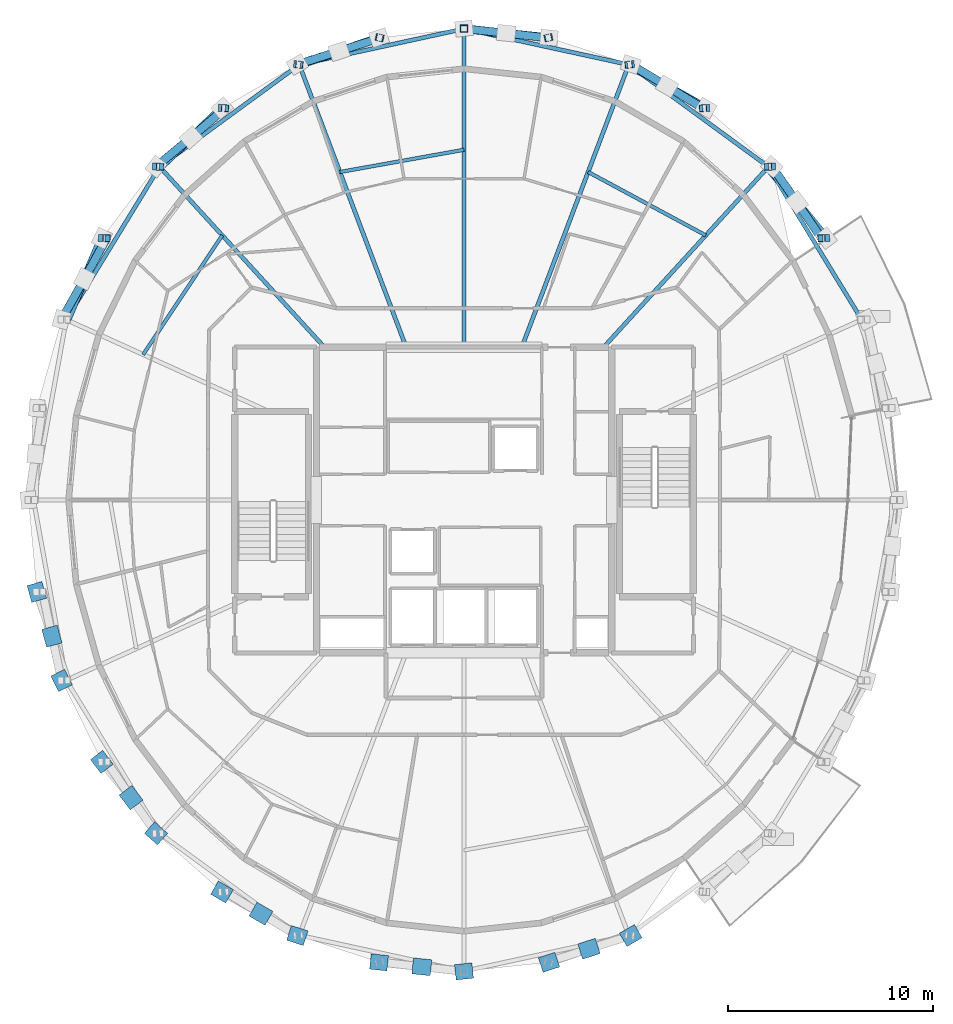
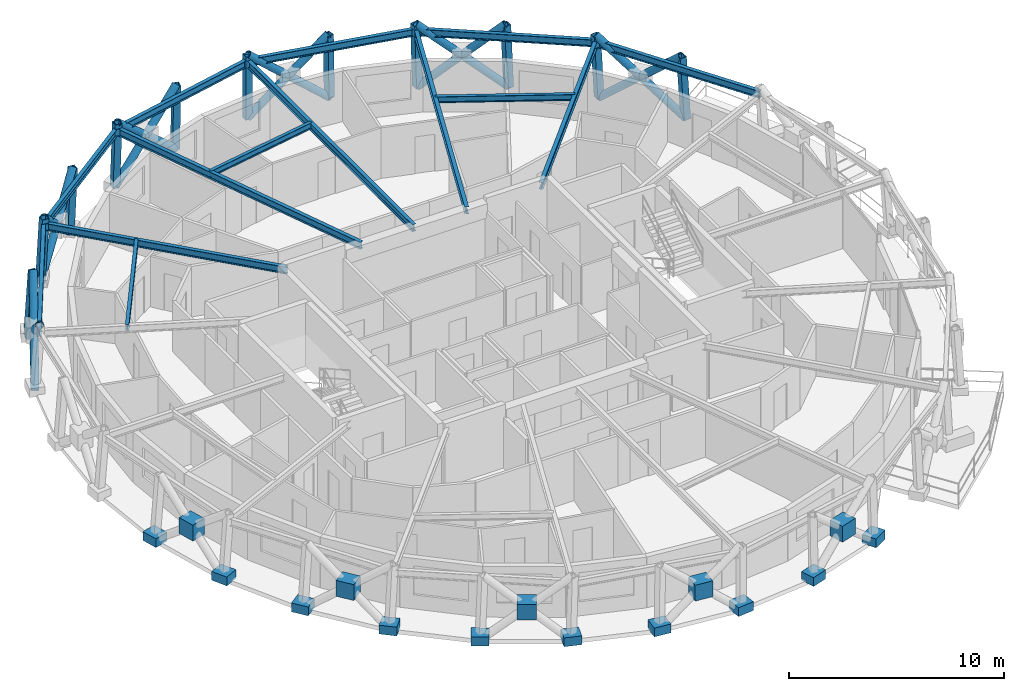
# One storey, part 5 of 12: 29 members, 15 plates, 14 beams.
"""IFC4 building model written with IfcOpenShell, lengths in metres."""

from ifc_helpers import new_model, si_unit, direction, frame, origin, origin_2d, place, context, subcontext, project, spatial, rectangle, hollow_rectangle, hollow_circle, i_section, extrude, material, layer, layer_set, material_profile, profile_set, type_object, element, save


model = new_model("IFC4")

# Units and contexts
model_context = context("Model", 3, precision=1e-05, world=origin(), true_north=direction((0.0, 1.0)))
body_context = subcontext(model_context, "Body", "Model", "MODEL_VIEW")
ifc_project = project(units=[si_unit("LENGTHUNIT", "METRE"), si_unit("AREAUNIT", "SQUARE_METRE"), si_unit("VOLUMEUNIT", "CUBIC_METRE"), si_unit("PLANEANGLEUNIT", "RADIAN"), si_unit("MASSUNIT", "GRAM", prefix="KILO")], contexts=[model_context])

# Site, building, storey
site_placement = place(None, origin())
site = spatial("IfcSite", under=ifc_project, at=site_placement, CompositionType="ELEMENT")
building_placement = place(site_placement, origin())
building = spatial("IfcBuilding", under=site, at=building_placement, Name="Veldorina Hangang Commons", CompositionType="ELEMENT")
storey_placement = place(building_placement, frame((0.0, 0.0, 272.39990234375)))
storey = spatial("IfcBuildingStorey", under=building, at=storey_placement, Name="L71", CompositionType="ELEMENT", Elevation=272.39990234375)

# Beams
ifc_material_1 = material(Name="Steel SM355-TMC", Category="steel")
ifc_material_profile_1 = material_profile(ifc_material_1, i_section(OverallWidth=0.199951171875, OverallDepth=0.39990234375, WebThickness=0.008056640625, FlangeThickness=0.012939453125, FilletRadius=0.012939453125, at=origin_2d()), Name="H-400x200x8x13")
ifc_profile_set_1 = profile_set([ifc_material_profile_1], Name="Steel SM355-TMC")
beam_type_1 = type_object("IfcBeamType", Name="BM-FG400", PredefinedType="BEAM", material=ifc_profile_set_1)
beam_1_placement = place(storey_placement, frame((38.806396484375, 31.449951171875, 3.16015625), z_axis=(0.674499660272, 0.738275157576, 0.0), x_axis=(-0.738275157576, 0.674499660272, 0.0)))
element("IfcBeam", 1, at=beam_1_placement, inside=storey, type_object=beam_type_1, Name="L71 radial floor girder 03", PredefinedType="BEAM", context=body_context, shape_type="SweptSolid", body=[
    extrude(i_section(OverallWidth=0.199951171875, OverallDepth=0.39990234375, WebThickness=0.008056640625, FlangeThickness=0.012939453125, FilletRadius=0.012939453125, at=origin_2d()), origin(), (0.0, 0.0, 1.0), 11.9130859375),
])
beam_2_placement = place(storey_placement, frame((34.8193359375, 31.449951171875, 3.16015625), z_axis=(0.353926583322, 0.935273208008, 0.0), x_axis=(-0.935273208008, 0.353926583322, 0.0)))
element("IfcBeam", 2, at=beam_2_placement, inside=storey, type_object=beam_type_1, Name="L71 radial floor girder 04", PredefinedType="BEAM", context=body_context, shape_type="SweptSolid", body=[
    extrude(i_section(OverallWidth=0.199951171875, OverallDepth=0.39990234375, WebThickness=0.008056640625, FlangeThickness=0.012939453125, FilletRadius=0.012939453125, at=origin_2d()), origin(), (0.0, 0.0, 1.0), 14.728759765625),
])
beam_3_placement = place(storey_placement, frame((32.0, 31.449951171875, 3.16015625), z_axis=(0.0, 1.0, 0.0), x_axis=(-1.0, 0.0, 0.0)))
element("IfcBeam", 3, at=beam_3_placement, inside=storey, type_object=beam_type_1, Name="L71 radial floor girder 05", PredefinedType="BEAM", context=body_context, shape_type="SweptSolid", body=[
    extrude(i_section(OverallWidth=0.199951171875, OverallDepth=0.39990234375, WebThickness=0.008056640625, FlangeThickness=0.012939453125, FilletRadius=0.012939453125, at=origin_2d()), origin(), (0.0, 0.0, 1.0), 15.524169921875),
])
beam_4_placement = place(storey_placement, frame((29.1806640625, 31.449951171875, 3.16015625), z_axis=(-0.353926583322, 0.935273208008, 0.0), x_axis=(-0.935273208008, -0.353926583322, 0.0)))
element("IfcBeam", 4, at=beam_4_placement, inside=storey, type_object=beam_type_1, Name="L71 radial floor girder 06", PredefinedType="BEAM", context=body_context, shape_type="SweptSolid", body=[
    extrude(i_section(OverallWidth=0.199951171875, OverallDepth=0.39990234375, WebThickness=0.008056640625, FlangeThickness=0.012939453125, FilletRadius=0.012939453125, at=origin_2d()), origin(), (0.0, 0.0, 1.0), 14.728759765625),
])
beam_5_placement = place(storey_placement, frame((25.193603515625, 31.449951171875, 3.16015625), z_axis=(-0.674499660272, 0.738275157576, 0.0), x_axis=(-0.738275157576, -0.674499660272, 0.0)))
element("IfcBeam", 5, at=beam_5_placement, inside=storey, type_object=beam_type_1, Name="L71 radial floor girder 07", PredefinedType="BEAM", context=body_context, shape_type="SweptSolid", body=[
    extrude(i_section(OverallWidth=0.199951171875, OverallDepth=0.39990234375, WebThickness=0.008056640625, FlangeThickness=0.012939453125, FilletRadius=0.012939453125, at=origin_2d()), origin(), (0.0, 0.0, 1.0), 11.9130859375),
])
ifc_material_profile_2 = material_profile(ifc_material_1, i_section(OverallWidth=0.175048828125, OverallDepth=0.35009765625, WebThickness=0.007080078125, FlangeThickness=0.010986328125, FilletRadius=0.012939453125, at=origin_2d()), Name="H-350x175x7x11")
ifc_profile_set_2 = profile_set([ifc_material_profile_2], Name="Steel SM355-TMC")
beam_type_2 = type_object("IfcBeamType", Name="BM-JST350", PredefinedType="JOIST", material=ifc_profile_set_2)
beam_6_placement = place(storey_placement, frame((43.788330078125, 36.903076171875, 3.18505859375), z_axis=(-0.88056133071, 0.473932213358, 0.0), x_axis=(-0.473932213358, -0.88056133071, 0.0)))
element("IfcBeam", 6, at=beam_6_placement, inside=storey, type_object=beam_type_2, Name="L71 secondary floor joist 03", PredefinedType="JOIST", context=body_context, shape_type="SweptSolid", body=[
    extrude(i_section(OverallWidth=0.175048828125, OverallDepth=0.35009765625, WebThickness=0.007080078125, FlangeThickness=0.010986328125, FilletRadius=0.012939453125, at=origin_2d()), origin(), (0.0, 0.0, 1.0), 6.514892578125),
])
beam_7_placement = place(storey_placement, frame((32.0, 41.074951171875, 3.18505859375), z_axis=(-0.984326047197, -0.176358251325, 0.0), x_axis=(0.176358251325, -0.984326047197, 0.0)))
element("IfcBeam", 7, at=beam_7_placement, inside=storey, type_object=beam_type_2, Name="L71 secondary floor joist 05", PredefinedType="JOIST", context=body_context, shape_type="SweptSolid", body=[
    extrude(i_section(OverallWidth=0.175048828125, OverallDepth=0.35009765625, WebThickness=0.007080078125, FlangeThickness=0.010986328125, FilletRadius=0.012939453125, at=origin_2d()), origin(), (0.0, 0.0, 1.0), 6.14794921875),
])
beam_8_placement = place(storey_placement, frame((20.211669921875, 36.903076171875, 3.18505859375), z_axis=(-0.55286479067, -0.833270978276, 0.0), x_axis=(0.833270978276, -0.55286479067, 0.0)))
element("IfcBeam", 8, at=beam_8_placement, inside=storey, type_object=beam_type_2, Name="L71 secondary floor joist 07", PredefinedType="JOIST", context=body_context, shape_type="SweptSolid", body=[
    extrude(i_section(OverallWidth=0.175048828125, OverallDepth=0.35009765625, WebThickness=0.007080078125, FlangeThickness=0.010986328125, FilletRadius=0.012939453125, at=origin_2d()), origin(), (0.0, 0.0, 1.0), 6.97314453125),
])
ifc_material_profile_3 = material_profile(ifc_material_1, i_section(OverallWidth=0.199951171875, OverallDepth=0.39990234375, WebThickness=0.008056640625, FlangeThickness=0.012939453125, FilletRadius=0.012939453125, at=origin_2d()), Name="H-400x200x8x13")
ifc_profile_set_3 = profile_set([ifc_material_profile_3], Name="Steel SM355-TMC")
beam_type_3 = type_object("IfcBeamType", Name="BM-RB400", PredefinedType="BEAM", material=ifc_profile_set_3)
beam_9_placement = place(storey_placement, frame((51.3916015625, 32.7919921875, 3.16015625), z_axis=(-0.521042817658, 0.85353053968, 0.0), x_axis=(-0.85353053968, -0.521042817658, 0.0)))
element("IfcBeam", 9, at=beam_9_placement, inside=storey, type_object=beam_type_3, Name="L71 perimeter hoop ring beam 02", PredefinedType="BEAM", context=body_context, shape_type="SweptSolid", body=[
    extrude(i_section(OverallWidth=0.199951171875, OverallDepth=0.39990234375, WebThickness=0.008056640625, FlangeThickness=0.012939453125, FilletRadius=0.012939453125, at=origin_2d()), origin(), (0.0, 0.0, 1.0), 8.732177734375),
])
beam_10_placement = place(storey_placement, frame((46.841796875, 40.2451171875, 3.16015625), z_axis=(-0.80716518859, 0.590325637532, 0.0), x_axis=(-0.590325637532, -0.80716518859, 0.0)))
element("IfcBeam", 10, at=beam_10_placement, inside=storey, type_object=beam_type_3, Name="L71 perimeter hoop ring beam 04", PredefinedType="BEAM", context=body_context, shape_type="SweptSolid", body=[
    extrude(i_section(OverallWidth=0.199951171875, OverallDepth=0.39990234375, WebThickness=0.008056640625, FlangeThickness=0.012939453125, FilletRadius=0.012939453125, at=origin_2d()), origin(), (0.0, 0.0, 1.0), 8.4365234375),
])
for number, where, z_axis, x_axis, name in (
    (11, (40.0322265625, 45.225341796875, 3.16015625), (-0.977109572502, 0.212736652518, 0.0), (-0.212736652518, -0.977109572502, 0.0), "L71 perimeter hoop ring beam 06"),
    (12, (32.0, 46.97412109375, 3.16015625), (-0.977109572502, -0.212736652518, 0.0), (0.212736652518, -0.977109572502, 0.0), "L71 perimeter hoop ring beam 08"),
):
    element("IfcBeam", number, at=place(storey_placement, frame(where, z_axis=z_axis, x_axis=x_axis)), inside=storey, type_object=beam_type_3, Name=name, PredefinedType="BEAM", context=body_context, shape_type="SweptSolid", body=[
        extrude(i_section(OverallWidth=0.199951171875, OverallDepth=0.39990234375, WebThickness=0.008056640625, FlangeThickness=0.012939453125, FilletRadius=0.012939453125, at=origin_2d()), origin(), (0.0, 0.0, 1.0), 8.220458984375),
    ])
beam_11_placement = place(storey_placement, frame((23.9677734375, 45.225341796875, 3.16015625), z_axis=(-0.80716518859, -0.590325637532, 0.0), x_axis=(0.590325637532, -0.80716518859, 0.0)))
element("IfcBeam", 13, at=beam_11_placement, inside=storey, type_object=beam_type_3, Name="L71 perimeter hoop ring beam 10", PredefinedType="BEAM", context=body_context, shape_type="SweptSolid", body=[
    extrude(i_section(OverallWidth=0.199951171875, OverallDepth=0.39990234375, WebThickness=0.008056640625, FlangeThickness=0.012939453125, FilletRadius=0.012939453125, at=origin_2d()), origin(), (0.0, 0.0, 1.0), 8.4365234375),
])
beam_12_placement = place(storey_placement, frame((17.158203125, 40.2451171875, 3.16015625), z_axis=(-0.521042817658, -0.85353053968, 0.0), x_axis=(0.85353053968, -0.521042817658, 0.0)))
element("IfcBeam", 14, at=beam_12_placement, inside=storey, type_object=beam_type_3, Name="L71 perimeter hoop ring beam 12", PredefinedType="BEAM", context=body_context, shape_type="SweptSolid", body=[
    extrude(i_section(OverallWidth=0.199951171875, OverallDepth=0.39990234375, WebThickness=0.008056640625, FlangeThickness=0.012939453125, FilletRadius=0.012939453125, at=origin_2d()), origin(), (0.0, 0.0, 1.0), 8.732177734375),
])

# Members
ifc_material_profile_4 = material_profile(ifc_material_1, hollow_circle(Radius=0.199951171875, WallThickness=0.02001953125, at=origin_2d()), Name="CHS-400x20")
ifc_profile_set_4 = profile_set([ifc_material_profile_4], Name="Steel SM355-TMC")
member_type_1 = type_object("IfcMemberType", Name="DG-CHS400", PredefinedType="BRACE", material=ifc_profile_set_4)
member_1_placement = place(storey_placement, frame((49.6572265625, 36.769775390625, 0.0), z_axis=(-0.493631154862, 0.603925805093, 0.6257810359), x_axis=(-0.774265064791, -0.632861445693, 0.0)))
element("IfcMember", 15, at=member_1_placement, inside=storey, type_object=member_type_1, Name="L71 continuous perimeter diagrid brace 03", PredefinedType="BRACE", context=body_context, shape_type="SweptSolid", body=[
    extrude(hollow_circle(Radius=0.199951171875, WallThickness=0.02001953125, at=origin_2d()), origin(), (0.0, 0.0, 1.0), 5.7529296875),
])
member_2_placement = place(storey_placement, frame((47.016357421875, 40.252685546875, 0.0), z_axis=(0.436684689291, -0.624636021666, 0.647407385327), x_axis=(0.819577289541, 0.57296864353, 0.0)))
element("IfcMember", 16, at=member_2_placement, inside=storey, type_object=member_type_1, Name="L71 split perimeter diagrid lower brace 04", PredefinedType="BRACE", context=body_context, shape_type="SweptSolid", body=[
    extrude(hollow_circle(Radius=0.199951171875, WallThickness=0.02001953125, at=origin_2d()), origin(), (0.0, 0.0, 1.0), 2.78759765625),
])
member_3_placement = place(storey_placement, frame((48.233642578125, 38.511474609375, 1.8046875), z_axis=(0.42884150575, -0.630281728746, 0.647178418487), x_axis=(0.826774026541, 0.562534184772, 0.0)))
element("IfcMember", 17, at=member_3_placement, inside=storey, type_object=member_type_1, Name="L71 split perimeter diagrid upper brace 04", PredefinedType="BRACE", context=body_context, shape_type="SweptSolid", body=[
    extrude(hollow_circle(Radius=0.199951171875, WallThickness=0.02001953125, at=origin_2d()), origin(), (0.0, 0.0, 1.0), 2.774169921875),
])
member_4_placement = place(storey_placement, frame((43.79833984375, 43.111083984375, 0.0), z_axis=(-0.671153246234, 0.375247502982, 0.639329830037), x_axis=(-0.488010906317, -0.872837530882, 0.0)))
element("IfcMember", 18, at=member_4_placement, inside=storey, type_object=member_type_1, Name="L71 continuous perimeter diagrid brace 05", PredefinedType="BRACE", context=body_context, shape_type="SweptSolid", body=[
    extrude(hollow_circle(Radius=0.199951171875, WallThickness=0.02001953125, at=origin_2d()), origin(), (0.0, 0.0, 1.0), 5.631103515625),
])
member_5_placement = place(storey_placement, frame((40.126708984375, 45.235107421875, 0.0), z_axis=(0.645373106115, -0.386779391833, 0.6587072612), x_axis=(0.5140613223, 0.857753435968, 0.0)))
element("IfcMember", 19, at=member_5_placement, inside=storey, type_object=member_type_1, Name="L71 split perimeter diagrid lower brace 06", PredefinedType="BRACE", context=body_context, shape_type="SweptSolid", body=[
    extrude(hollow_circle(Radius=0.199951171875, WallThickness=0.02001953125, at=origin_2d()), origin(), (0.0, 0.0, 1.0), 2.746337890625),
])
member_6_placement = place(storey_placement, frame((41.899169921875, 44.1728515625, 1.80908203125), z_axis=(0.640907855678, -0.394170003702, 0.658685910515), x_axis=(0.523871033323, 0.85179759359, 0.0)))
element("IfcMember", 20, at=member_6_placement, inside=storey, type_object=member_type_1, Name="L71 split perimeter diagrid upper brace 06", PredefinedType="BRACE", context=body_context, shape_type="SweptSolid", body=[
    extrude(hollow_circle(Radius=0.199951171875, WallThickness=0.02001953125, at=origin_2d()), origin(), (0.0, 0.0, 1.0), 2.718994140625),
])
member_7_placement = place(storey_placement, frame((36.14306640625, 46.543212890625, 0.0), z_axis=(-0.752537312236, 0.07800313095, 0.653913683337), x_axis=(-0.103101124146, -0.994670879336, 0.0)))
element("IfcMember", 21, at=member_7_placement, inside=storey, type_object=member_type_1, Name="L71 continuous perimeter diagrid brace 07", PredefinedType="BRACE", context=body_context, shape_type="SweptSolid", body=[
    extrude(hollow_circle(Radius=0.199951171875, WallThickness=0.02001953125, at=origin_2d()), origin(), (0.0, 0.0, 1.0), 5.50537109375),
])
member_8_placement = place(storey_placement, frame((32.0, 46.98486328125, 0.0), z_axis=(0.747993871901, -0.081907503116, 0.658632164818), x_axis=(0.10885223396, 0.994057941552, 0.0)))
element("IfcMember", 22, at=member_8_placement, inside=storey, type_object=member_type_1, Name="L71 split perimeter diagrid lower brace 08", PredefinedType="BRACE", context=body_context, shape_type="SweptSolid", body=[
    extrude(hollow_circle(Radius=0.199951171875, WallThickness=0.02001953125, at=origin_2d()), origin(), (0.0, 0.0, 1.0), 2.751220703125),
])
member_9_placement = place(storey_placement, frame((34.057861328125, 46.759521484375, 1.81201171875), z_axis=(0.747791362292, -0.084077071157, 0.658588737064), x_axis=(0.111729870792, 0.993738615519, 0.0)))
element("IfcMember", 23, at=member_9_placement, inside=storey, type_object=member_type_1, Name="L71 split perimeter diagrid upper brace 08", PredefinedType="BRACE", context=body_context, shape_type="SweptSolid", body=[
    extrude(hollow_circle(Radius=0.199951171875, WallThickness=0.02001953125, at=origin_2d()), origin(), (0.0, 0.0, 1.0), 2.715087890625),
])
member_10_placement = place(storey_placement, frame((27.85693359375, 46.543212890625, 0.0), z_axis=(-0.710932293269, -0.241948046141, 0.660330536441), x_axis=(0.322178525013, -0.9466789308, 0.0)))
element("IfcMember", 24, at=member_10_placement, inside=storey, type_object=member_type_1, Name="L71 continuous perimeter diagrid brace 09", PredefinedType="BRACE", context=body_context, shape_type="SweptSolid", body=[
    extrude(hollow_circle(Radius=0.199951171875, WallThickness=0.02001953125, at=origin_2d()), origin(), (0.0, 0.0, 1.0), 5.451904296875),
])
member_11_placement = place(storey_placement, frame((23.873291015625, 45.235107421875, 0.0), z_axis=(0.7267689036, 0.230304874025, 0.647121801333), x_axis=(-0.302084093341, 0.953281280919, 0.0)))
element("IfcMember", 25, at=member_11_placement, inside=storey, type_object=member_type_1, Name="L71 split perimeter diagrid lower brace 10", PredefinedType="BRACE", context=body_context, shape_type="SweptSolid", body=[
    extrude(hollow_circle(Radius=0.199951171875, WallThickness=0.02001953125, at=origin_2d()), origin(), (0.0, 0.0, 1.0), 2.798583984375),
])
member_12_placement = place(storey_placement, frame((25.9072265625, 45.879638671875, 1.81103515625), z_axis=(0.72506691725, 0.23568427745, 0.647094187018), x_axis=(-0.309130593981, 0.951019598045, 0.0)))
element("IfcMember", 26, at=member_12_placement, inside=storey, type_object=member_type_1, Name="L71 split perimeter diagrid upper brace 10", PredefinedType="BRACE", context=body_context, shape_type="SweptSolid", body=[
    extrude(hollow_circle(Radius=0.199951171875, WallThickness=0.02001953125, at=origin_2d()), origin(), (0.0, 0.0, 1.0), 2.7646484375),
])
member_13_placement = place(storey_placement, frame((20.20166015625, 43.111083984375, 0.0), z_axis=(-0.548511899307, -0.520877829012, 0.654080257738), x_axis=(0.688604582975, -0.725137041052, 0.0)))
element("IfcMember", 27, at=member_13_placement, inside=storey, type_object=member_type_1, Name="L71 continuous perimeter diagrid brace 11", PredefinedType="BRACE", context=body_context, shape_type="SweptSolid", body=[
    extrude(hollow_circle(Radius=0.199951171875, WallThickness=0.02001953125, at=origin_2d()), origin(), (0.0, 0.0, 1.0), 5.504150390625),
])
member_14_placement = place(storey_placement, frame((16.983642578125, 40.252685546875, 0.0), z_axis=(0.595364061071, 0.496335912111, 0.631816664179), x_axis=(-0.640336051144, 0.768094877997, 0.0)))
element("IfcMember", 28, at=member_14_placement, inside=storey, type_object=member_type_1, Name="L71 split perimeter diagrid lower brace 12", PredefinedType="BRACE", context=body_context, shape_type="SweptSolid", body=[
    extrude(hollow_circle(Radius=0.199951171875, WallThickness=0.02001953125, at=origin_2d()), origin(), (0.0, 0.0, 1.0), 2.85986328125),
])
member_15_placement = place(storey_placement, frame((18.686279296875, 41.672119140625, 1.806884765625), z_axis=(0.589160040938, 0.503556325878, 0.631918881526), x_axis=(-0.649721147264, 0.760172632234, 0.0)))
element("IfcMember", 29, at=member_15_placement, inside=storey, type_object=member_type_1, Name="L71 split perimeter diagrid upper brace 12", PredefinedType="BRACE", context=body_context, shape_type="SweptSolid", body=[
    extrude(hollow_circle(Radius=0.199951171875, WallThickness=0.02001953125, at=origin_2d()), origin(), (0.0, 0.0, 1.0), 2.837646484375),
])
member_16_placement = place(storey_placement, frame((14.3427734375, 36.769775390625, 0.0), z_axis=(-0.302463371155, -0.70675983601, 0.639536115722), x_axis=(0.919349169948, -0.393442630782, 0.0)))
element("IfcMember", 30, at=member_16_placement, inside=storey, type_object=member_type_1, Name="L71 continuous perimeter diagrid brace 13", PredefinedType="BRACE", context=body_context, shape_type="SweptSolid", body=[
    extrude(hollow_circle(Radius=0.199951171875, WallThickness=0.02001953125, at=origin_2d()), origin(), (0.0, 0.0, 1.0), 5.629150390625),
])
member_17_placement = place(storey_placement, frame((12.380126953125, 32.7958984375, 0.0), z_axis=(0.382811985977, 0.683370329926, 0.621659050902), x_axis=(-0.872438192552, 0.488724462429, 0.0)))
element("IfcMember", 31, at=member_17_placement, inside=storey, type_object=member_type_1, Name="L71 split perimeter diagrid lower brace 14", PredefinedType="BRACE", context=body_context, shape_type="SweptSolid", body=[
    extrude(hollow_circle(Radius=0.199951171875, WallThickness=0.02001953125, at=origin_2d()), origin(), (0.0, 0.0, 1.0), 2.89990234375),
])
member_18_placement = place(storey_placement, frame((13.490234375, 34.777587890625, 1.802734375), z_axis=(0.375917851567, 0.686958195269, 0.621911735559), x_axis=(-0.877243385199, 0.480045876062, 0.0)))
element("IfcMember", 32, at=member_18_placement, inside=storey, type_object=member_type_1, Name="L71 split perimeter diagrid upper brace 14", PredefinedType="BRACE", context=body_context, shape_type="SweptSolid", body=[
    extrude(hollow_circle(Radius=0.199951171875, WallThickness=0.02001953125, at=origin_2d()), origin(), (0.0, 0.0, 1.0), 2.89013671875),
])
ifc_material_profile_5 = material_profile(ifc_material_1, hollow_rectangle(XDim=0.35009765625, YDim=0.35009765625, WallThickness=0.01611328125, at=origin_2d()), Name="SHS-350x350x16")
ifc_profile_set_5 = profile_set([ifc_material_profile_5], Name="Steel SM355-TMC")
member_type_2 = type_object("IfcMemberType", Name="STR-SHS350", PredefinedType="STRUT", material=ifc_profile_set_5)
member_19_placement = place(storey_placement, frame((49.6572265625, 36.769775390625, 0.0), z_axis=(-0.064829984729, -0.001894822101, 0.997894524852), x_axis=(0.029215081582, -0.999573148403, 0.0)))
element("IfcMember", 33, at=member_19_placement, inside=storey, type_object=member_type_2, Name="L71 perimeter ring node post 03", PredefinedType="STRUT", context=body_context, shape_type="SweptSolid", body=[
    extrude(hollow_rectangle(XDim=0.35009765625, YDim=0.35009765625, WallThickness=0.01611328125, at=origin_2d()), origin(), (0.0, 0.0, 1.0), 3.607666015625),
])
member_20_placement = place(storey_placement, frame((47.016357421875, 40.252685546875, 0.0), z_axis=(-0.055184848386, -0.002369901464, 0.998473342697), x_axis=(0.042905239409, -0.99907914623, 0.0)))
element("IfcMember", 34, at=member_20_placement, inside=storey, type_object=member_type_2, Name="L71 perimeter ring node post 04", PredefinedType="STRUT", context=body_context, shape_type="SweptSolid", body=[
    extrude(hollow_rectangle(XDim=0.35009765625, YDim=0.35009765625, WallThickness=0.01611328125, at=origin_2d()), origin(), (0.0, 0.0, 1.0), 3.605712890625),
])
member_21_placement = place(storey_placement, frame((43.79833984375, 43.111083984375, 0.0), z_axis=(-0.04342823631, -0.002777781106, 0.999052687411), x_axis=(0.063832116521, -0.997960650978, 0.0)))
element("IfcMember", 35, at=member_21_placement, inside=storey, type_object=member_type_2, Name="L71 perimeter ring node post 05", PredefinedType="STRUT", context=body_context, shape_type="SweptSolid", body=[
    extrude(hollow_rectangle(XDim=0.35009765625, YDim=0.35009765625, WallThickness=0.01611328125, at=origin_2d()), origin(), (0.0, 0.0, 1.0), 3.603515625),
])
member_22_placement = place(storey_placement, frame((40.126708984375, 45.235107421875, 0.0), z_axis=(-0.029892911142, -0.003050297055, 0.999548452828), x_axis=(0.101513688013, -0.994834142531, 0.0)))
element("IfcMember", 36, at=member_22_placement, inside=storey, type_object=member_type_2, Name="L71 perimeter ring node post 06", PredefinedType="STRUT", context=body_context, shape_type="SweptSolid", body=[
    extrude(hollow_rectangle(XDim=0.35009765625, YDim=0.35009765625, WallThickness=0.01611328125, at=origin_2d()), origin(), (0.0, 0.0, 1.0), 3.601806640625),
])
member_23_placement = place(storey_placement, frame((36.14306640625, 46.543212890625, 0.0), z_axis=(-0.01525651504, -0.003322529942, 0.999878092341), x_axis=(0.212790211528, -0.977097910078, 0.0)))
element("IfcMember", 37, at=member_23_placement, inside=storey, type_object=member_type_2, Name="L71 perimeter ring node post 07", PredefinedType="STRUT", context=body_context, shape_type="SweptSolid", body=[
    extrude(hollow_rectangle(XDim=0.35009765625, YDim=0.35009765625, WallThickness=0.01611328125, at=origin_2d()), origin(), (0.0, 0.0, 1.0), 3.6005859375),
])
member_24_placement = place(storey_placement, frame((32.0, 46.98486328125, 0.0), z_axis=(0.0, -0.003390730542, 0.999994251457), x_axis=(1.0, 0.0, 0.0)))
element("IfcMember", 38, at=member_24_placement, inside=storey, type_object=member_type_2, Name="L71 perimeter ring node post 08", PredefinedType="STRUT", context=body_context, shape_type="SweptSolid", body=[
    extrude(hollow_rectangle(XDim=0.35009765625, YDim=0.35009765625, WallThickness=0.01611328125, at=origin_2d()), origin(), (0.0, 0.0, 1.0), 3.60009765625),
])
member_25_placement = place(storey_placement, frame((27.85693359375, 46.543212890625, 0.0), z_axis=(0.01525651504, -0.003322529942, 0.999878092341), x_axis=(0.212790211528, 0.977097910078, 0.0)))
element("IfcMember", 39, at=member_25_placement, inside=storey, type_object=member_type_2, Name="L71 perimeter ring node post 09", PredefinedType="STRUT", context=body_context, shape_type="SweptSolid", body=[
    extrude(hollow_rectangle(XDim=0.35009765625, YDim=0.35009765625, WallThickness=0.01611328125, at=origin_2d()), origin(), (0.0, 0.0, 1.0), 3.6005859375),
])
member_26_placement = place(storey_placement, frame((23.873291015625, 45.235107421875, 0.0), z_axis=(0.029892911142, -0.003050297055, 0.999548452828), x_axis=(0.101513688013, 0.994834142531, 0.0)))
element("IfcMember", 40, at=member_26_placement, inside=storey, type_object=member_type_2, Name="L71 perimeter ring node post 10", PredefinedType="STRUT", context=body_context, shape_type="SweptSolid", body=[
    extrude(hollow_rectangle(XDim=0.35009765625, YDim=0.35009765625, WallThickness=0.01611328125, at=origin_2d()), origin(), (0.0, 0.0, 1.0), 3.601806640625),
])
member_27_placement = place(storey_placement, frame((20.20166015625, 43.111083984375, 0.0), z_axis=(0.04342823631, -0.002777781106, 0.999052687411), x_axis=(0.063832116521, 0.997960650978, 0.0)))
element("IfcMember", 41, at=member_27_placement, inside=storey, type_object=member_type_2, Name="L71 perimeter ring node post 11", PredefinedType="STRUT", context=body_context, shape_type="SweptSolid", body=[
    extrude(hollow_rectangle(XDim=0.35009765625, YDim=0.35009765625, WallThickness=0.01611328125, at=origin_2d()), origin(), (0.0, 0.0, 1.0), 3.603515625),
])
member_28_placement = place(storey_placement, frame((16.983642578125, 40.252685546875, 0.0), z_axis=(0.055184848386, -0.002369901464, 0.998473342697), x_axis=(0.042905239409, 0.99907914623, 0.0)))
element("IfcMember", 42, at=member_28_placement, inside=storey, type_object=member_type_2, Name="L71 perimeter ring node post 12", PredefinedType="STRUT", context=body_context, shape_type="SweptSolid", body=[
    extrude(hollow_rectangle(XDim=0.35009765625, YDim=0.35009765625, WallThickness=0.01611328125, at=origin_2d()), origin(), (0.0, 0.0, 1.0), 3.605712890625),
])
member_29_placement = place(storey_placement, frame((14.3427734375, 36.769775390625, 0.0), z_axis=(0.064829984729, -0.001894822101, 0.997894524852), x_axis=(0.029215081582, 0.999573148403, 0.0)))
element("IfcMember", 43, at=member_29_placement, inside=storey, type_object=member_type_2, Name="L71 perimeter ring node post 13", PredefinedType="STRUT", context=body_context, shape_type="SweptSolid", body=[
    extrude(hollow_rectangle(XDim=0.35009765625, YDim=0.35009765625, WallThickness=0.01611328125, at=origin_2d()), origin(), (0.0, 0.0, 1.0), 3.607666015625),
])

# Plates
ifc_material_2 = material(Name="Steel SM460-TMC", Category="steel")
ifc_layer = layer(ifc_material_2, 0.035888671875)
ifc_layer_set = layer_set([ifc_layer], Name="Steel SM460-TMC")
plate_type = type_object("IfcPlateType", Name="PL-STAR-36", PredefinedType="USERDEFINED", material=ifc_layer_set)
plate_1_placement = place(storey_placement, frame((11.171630859375, 19.515869140625, -0.08984375), z_axis=(0.0, 0.0, 1.0), x_axis=(0.269877877789, -0.962894558651, 0.0)))
element("IfcPlate", 44, at=plate_1_placement, inside=storey, type_object=plate_type, Name="L71 diagrid star-node gusset plate 17", ObjectType="GUSSET PLATE", PredefinedType="USERDEFINED", context=body_context, shape_type="SweptSolid", body=[
    extrude(rectangle(XDim=0.85009765625, YDim=0.75, at=origin_2d()), origin(), (0.0, 0.0, 1.0), 0.5),
])
plate_2_placement = place(storey_placement, frame((11.906494140625, 17.360595703125, 1.3515625), z_axis=(0.0, 0.0, 1.0), x_axis=(0.269877877789, -0.962894558651, 0.0)))
element("IfcPlate", 45, at=plate_2_placement, inside=storey, type_object=plate_type, Name="L71 diagrid X-crossing star-node gusset plate 17", ObjectType="GUSSET PLATE", PredefinedType="USERDEFINED", context=body_context, shape_type="SweptSolid", body=[
    extrude(rectangle(XDim=0.89990234375, YDim=0.780029296875, at=origin_2d()), origin(), (0.0, 0.0, 1.0), 0.89990234375),
])
for number, where, z_axis, x_axis, name in (
    (46, (12.380126953125, 15.2041015625, -0.08984375), (0.0, 0.0, 1.0), (0.442805178447, -0.896617852789, 0.0), "L71 diagrid star-node gusset plate 18"),
    (47, (14.3427734375, 11.230224609375, -0.08984375), (0.0, 0.0, 1.0), (0.604195877415, -0.796835831093, 0.0), "L71 diagrid star-node gusset plate 19"),
):
    element("IfcPlate", number, at=place(storey_placement, frame(where, z_axis=z_axis, x_axis=x_axis)), inside=storey, type_object=plate_type, Name=name, ObjectType="GUSSET PLATE", PredefinedType="USERDEFINED", context=body_context, shape_type="SweptSolid", body=[
        extrude(rectangle(XDim=0.85009765625, YDim=0.75, at=origin_2d()), origin(), (0.0, 0.0, 1.0), 0.5),
    ])
plate_3_placement = place(storey_placement, frame((15.766357421875, 9.488525390625, 1.354736328125), z_axis=(0.0, 0.0, 1.0), x_axis=(0.604195877415, -0.796835831093, 0.0)))
element("IfcPlate", 48, at=plate_3_placement, inside=storey, type_object=plate_type, Name="L71 diagrid X-crossing star-node gusset plate 19", ObjectType="GUSSET PLATE", PredefinedType="USERDEFINED", context=body_context, shape_type="SweptSolid", body=[
    extrude(rectangle(XDim=0.89990234375, YDim=0.780029296875, at=origin_2d()), origin(), (0.0, 0.0, 1.0), 0.89990234375),
])
for number, where, z_axis, x_axis, name in (
    (49, (16.983642578125, 7.747314453125, -0.08984375), (0.0, 0.0, 1.0), (0.747635840399, -0.664108914374, 0.0), "L71 diagrid star-node gusset plate 20"),
    (50, (20.20166015625, 4.888916015625, -0.08984375), (0.0, 0.0, 1.0), (0.865588741769, -0.500755559253, 0.0), "L71 diagrid star-node gusset plate 21"),
):
    element("IfcPlate", number, at=place(storey_placement, frame(where, z_axis=z_axis, x_axis=x_axis)), inside=storey, type_object=plate_type, Name=name, ObjectType="GUSSET PLATE", PredefinedType="USERDEFINED", context=body_context, shape_type="SweptSolid", body=[
        extrude(rectangle(XDim=0.85009765625, YDim=0.75, at=origin_2d()), origin(), (0.0, 0.0, 1.0), 0.5),
    ])
plate_4_placement = place(storey_placement, frame((22.100830078125, 3.8271484375, 1.359130859375), z_axis=(0.0, 0.0, 1.0), x_axis=(0.865588741769, -0.500755559253, 0.0)))
element("IfcPlate", 51, at=plate_4_placement, inside=storey, type_object=plate_type, Name="L71 diagrid X-crossing star-node gusset plate 21", ObjectType="GUSSET PLATE", PredefinedType="USERDEFINED", context=body_context, shape_type="SweptSolid", body=[
    extrude(rectangle(XDim=0.89990234375, YDim=0.780029296875, at=origin_2d()), origin(), (0.0, 0.0, 1.0), 0.89990234375),
])
for number, where, z_axis, x_axis, name in (
    (52, (23.873291015625, 2.764892578125, -0.08984375), (0.0, 0.0, 1.0), (0.950097354253, -0.311953550135, 0.0), "L71 diagrid star-node gusset plate 22"),
    (53, (27.85693359375, 1.456787109375, -0.08984375), (0.0, 0.0, 1.0), (0.994367579889, -0.10598639566, 0.0), "L71 diagrid star-node gusset plate 23"),
):
    element("IfcPlate", number, at=place(storey_placement, frame(where, z_axis=z_axis, x_axis=x_axis)), inside=storey, type_object=plate_type, Name=name, ObjectType="GUSSET PLATE", PredefinedType="USERDEFINED", context=body_context, shape_type="SweptSolid", body=[
        extrude(rectangle(XDim=0.85009765625, YDim=0.75, at=origin_2d()), origin(), (0.0, 0.0, 1.0), 0.5),
    ])
plate_5_placement = place(storey_placement, frame((29.942138671875, 1.240478515625, 1.362060546875), z_axis=(0.0, 0.0, 1.0), x_axis=(0.994367579889, -0.10598639566, 0.0)))
element("IfcPlate", 54, at=plate_5_placement, inside=storey, type_object=plate_type, Name="L71 diagrid X-crossing star-node gusset plate 23", ObjectType="GUSSET PLATE", PredefinedType="USERDEFINED", context=body_context, shape_type="SweptSolid", body=[
    extrude(rectangle(XDim=0.89990234375, YDim=0.780029296875, at=origin_2d()), origin(), (0.0, 0.0, 1.0), 0.89990234375),
])
for number, where, z_axis, x_axis, name in (
    (55, (32.0, 1.01513671875, -0.08984375), (0.0, 0.0, 1.0), (0.994367579889, 0.10598639566, 0.0), "L71 diagrid star-node gusset plate 24"),
    (56, (36.14306640625, 1.456787109375, -0.08984375), (0.0, 0.0, 1.0), (0.950097354253, 0.311953550135, 0.0), "L71 diagrid star-node gusset plate 25"),
):
    element("IfcPlate", number, at=place(storey_placement, frame(where, z_axis=z_axis, x_axis=x_axis)), inside=storey, type_object=plate_type, Name=name, ObjectType="GUSSET PLATE", PredefinedType="USERDEFINED", context=body_context, shape_type="SweptSolid", body=[
        extrude(rectangle(XDim=0.85009765625, YDim=0.75, at=origin_2d()), origin(), (0.0, 0.0, 1.0), 0.5),
    ])
plate_6_placement = place(storey_placement, frame((38.0927734375, 2.120361328125, 1.361083984375), z_axis=(0.0, 0.0, 1.0), x_axis=(0.950097354253, 0.311953550135, 0.0)))
element("IfcPlate", 57, at=plate_6_placement, inside=storey, type_object=plate_type, Name="L71 diagrid X-crossing star-node gusset plate 25", ObjectType="GUSSET PLATE", PredefinedType="USERDEFINED", context=body_context, shape_type="SweptSolid", body=[
    extrude(rectangle(XDim=0.89990234375, YDim=0.780029296875, at=origin_2d()), origin(), (0.0, 0.0, 1.0), 0.89990234375),
])
plate_7_placement = place(storey_placement, frame((40.126708984375, 2.764892578125, -0.08984375), z_axis=(0.0, 0.0, 1.0), x_axis=(0.865588741769, 0.500755559253, 0.0)))
element("IfcPlate", 58, at=plate_7_placement, inside=storey, type_object=plate_type, Name="L71 diagrid star-node gusset plate 26", ObjectType="GUSSET PLATE", PredefinedType="USERDEFINED", context=body_context, shape_type="SweptSolid", body=[
    extrude(rectangle(XDim=0.85009765625, YDim=0.75, at=origin_2d()), origin(), (0.0, 0.0, 1.0), 0.5),
])

save(model, "model.ifc")
